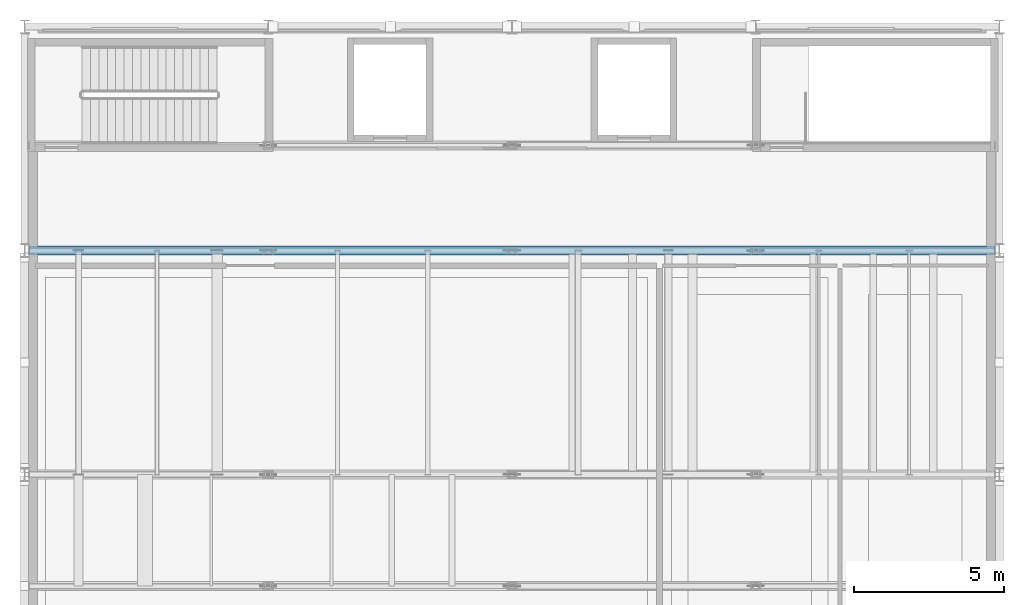
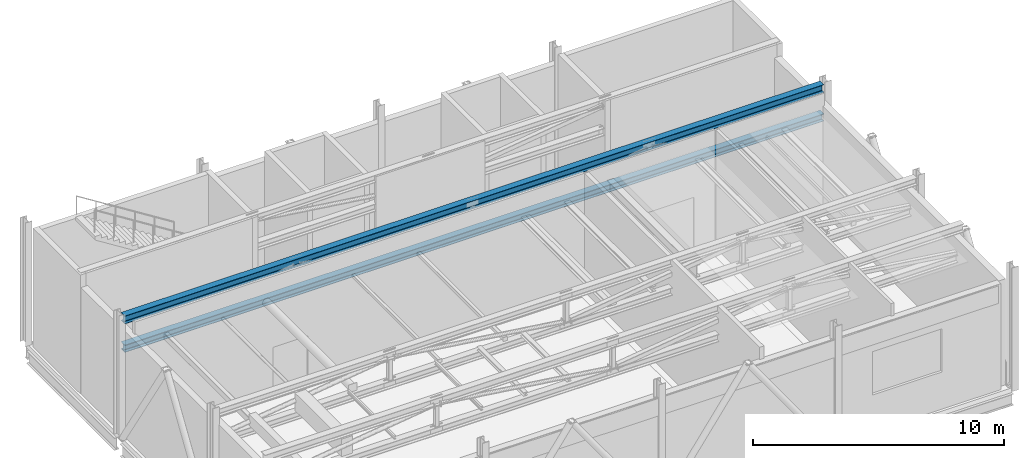
# One storey, part 7 of 21: 2 members.
"""IFC4 building model written with IfcOpenShell, lengths in metres."""

from ifc_helpers import new_model, si_unit, direction, frame, origin, origin_2d, place, context, subcontext, project, spatial, i_section, extrude, material, material_profile, profile_set, type_object, element, save


model = new_model("IFC4")

# Units and contexts
model_context = context("Model", 3, precision=1e-05, world=origin(), true_north=direction((0.0, 1.0)))
body_context = subcontext(model_context, "Body", "Model", "MODEL_VIEW")
ifc_project = project(units=[si_unit("LENGTHUNIT", "METRE"), si_unit("AREAUNIT", "SQUARE_METRE"), si_unit("VOLUMEUNIT", "CUBIC_METRE"), si_unit("PLANEANGLEUNIT", "RADIAN"), si_unit("MASSUNIT", "GRAM", prefix="KILO")], contexts=[model_context])

# Site, building, storey
site_placement = place(None, origin())
site = spatial("IfcSite", under=ifc_project, at=site_placement, CompositionType="ELEMENT")
building_placement = place(site_placement, origin())
building = spatial("IfcBuilding", under=site, at=building_placement, Name="Kaelora Sail Theatre", CompositionType="ELEMENT")
storey_placement = place(building_placement, frame((0.0, 0.0, 27.60009765625)))
storey = spatial("IfcBuildingStorey", under=building, at=storey_placement, Name="L06", CompositionType="ELEMENT", Elevation=27.60009765625)

# Members
ifc_material_1 = material(Name="Steel S355", Category="steel")
ifc_material_profile_1 = material_profile(ifc_material_1, i_section(OverallWidth=0.300048828125, OverallDepth=0.389892578125, WebThickness=0.010986328125, FlangeThickness=0.01904296875, FilletRadius=0.027099609375, at=origin_2d()), Name="HEA 400")
ifc_profile_set_1 = profile_set([ifc_material_profile_1], Name="Steel S355")
member_type_1 = type_object("IfcMemberType", Name="STR-MEM-CH-HEA400", PredefinedType="CHORD", material=ifc_profile_set_1)
member_1_placement = place(storey_placement, frame((25.949951171875, 75.89990234375, 5.64990234375), z_axis=(1.0, 0.0, 0.0), x_axis=(0.0, 1.0, 0.0)))
element("IfcMember", 1, at=member_1_placement, inside=storey, type_object=member_type_1, Name="Fly Tower truss 3 top chord", PredefinedType="CHORD", context=body_context, shape_type="SweptSolid", body=[
    extrude(i_section(OverallWidth=0.300048828125, OverallDepth=0.389892578125, WebThickness=0.010986328125, FlangeThickness=0.01904296875, FilletRadius=0.027099609375, at=origin_2d()), origin(), (0.0, 0.0, 1.0), 32.10009765625),
])
ifc_material_2 = material(Name="Steel S355", Category="steel")
ifc_material_profile_2 = material_profile(ifc_material_2, i_section(OverallWidth=0.300048828125, OverallDepth=0.360107421875, WebThickness=0.012451171875, FlangeThickness=0.0224609375, FilletRadius=0.027099609375, at=origin_2d()), Name="HEB 360")
ifc_profile_set_2 = profile_set([ifc_material_profile_2], Name="Steel S355")
member_type_2 = type_object("IfcMemberType", Name="STR-MEM-CH-HEB360", PredefinedType="CHORD", material=ifc_profile_set_2)
member_2_placement = place(storey_placement, frame((25.949951171875, 75.89990234375, 4.25), z_axis=(1.0, 0.0, 0.0), x_axis=(0.0, 1.0, 0.0)))
element("IfcMember", 2, at=member_2_placement, inside=storey, type_object=member_type_2, Name="Fly Tower truss 3 bottom chord", PredefinedType="CHORD", context=body_context, shape_type="SweptSolid", body=[
    extrude(i_section(OverallWidth=0.300048828125, OverallDepth=0.360107421875, WebThickness=0.012451171875, FlangeThickness=0.0224609375, FilletRadius=0.027099609375, at=origin_2d()), origin(), (0.0, 0.0, 1.0), 32.10009765625),
])

save(model, "model.ifc")
